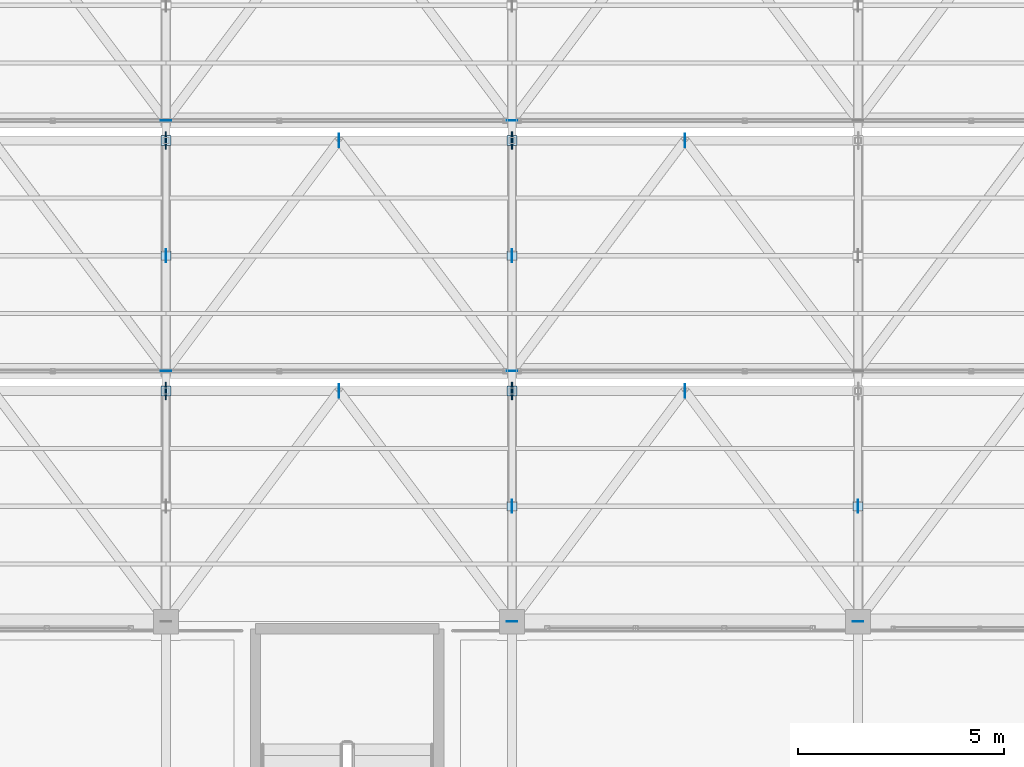
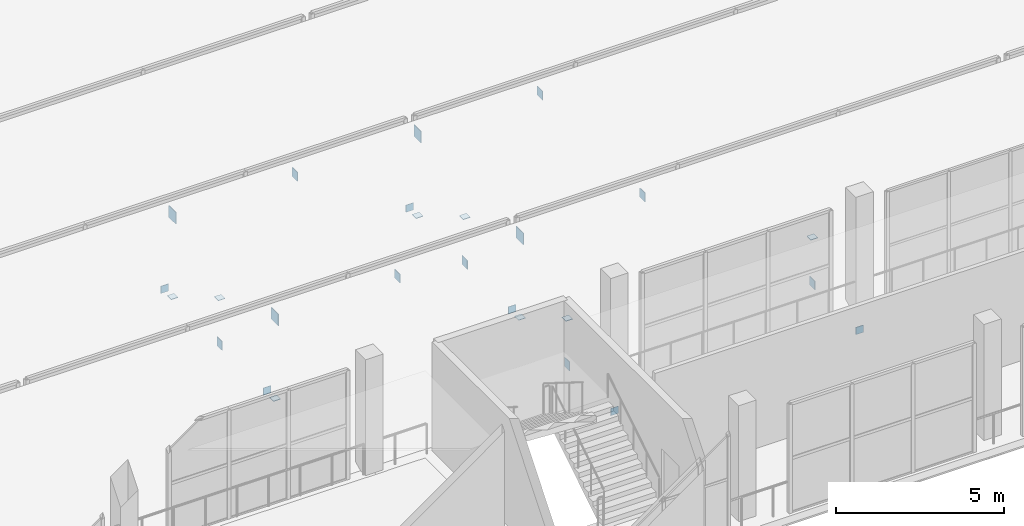
# One storey, part 181 of 217: 26 plates.
"""IFC4 building model written with IfcOpenShell, lengths in metres."""

from ifc_helpers import new_model, si_unit, direction, frame, origin, origin_2d, place, context, subcontext, project, spatial, rectangle, extrude, material, layer, layer_set, type_object, element, save


model = new_model("IFC4")

# Units and contexts
model_context = context("Model", 3, precision=1e-05, world=origin(), true_north=direction((0.0, 1.0)))
body_context = subcontext(model_context, "Body", "Model", "MODEL_VIEW")
ifc_project = project(units=[si_unit("LENGTHUNIT", "METRE"), si_unit("AREAUNIT", "SQUARE_METRE"), si_unit("VOLUMEUNIT", "CUBIC_METRE"), si_unit("PLANEANGLEUNIT", "RADIAN"), si_unit("MASSUNIT", "GRAM", prefix="KILO")], contexts=[model_context])

# Site, building, storey
site_placement = place(None, origin())
site = spatial("IfcSite", under=ifc_project, at=site_placement, CompositionType="ELEMENT")
building_placement = place(site_placement, origin())
building = spatial("IfcBuilding", under=site, at=building_placement, Name="Zuvorla Pavilion Media Centre", CompositionType="ELEMENT")
storey_placement = place(building_placement, frame((0.0, 0.0, 9.60009765625)))
storey = spatial("IfcBuildingStorey", under=building, at=storey_placement, Name="L02", CompositionType="ELEMENT", Elevation=9.60009765625)

# Plates
ifc_material = material(Name="Steel S355", Category="steel")
ifc_layer_1 = layer(ifc_material, 0.01611328125)
ifc_layer_set_1 = layer_set([ifc_layer_1], Name="Steel S355")
plate_type_1 = type_object("IfcPlateType", Name="PLT-CAP-16", PredefinedType="USERDEFINED", material=ifc_layer_set_1)
for number, where, z_axis, x_axis, name in (
    (1, (100.39990234375, 89.60009765625, -1.01025390625), (0.0, 0.0, 1.0), (1.0, 0.0, 0.0), "L02 cap plate CP16 10"),
    (2, (108.800048828125, 89.60009765625, -1.01025390625), (0.0, 0.0, 1.0), (1.0, 0.0, 0.0), "L02 cap plate CP16 12"),
    (3, (92.0, 95.679931640625, -1.01025390625), (0.0, 0.0, 1.0), (1.0, 0.0, 0.0), "L02 cap plate CP16 26"),
    (4, (100.39990234375, 95.679931640625, -1.01025390625), (0.0, 0.0, 1.0), (1.0, 0.0, 0.0), "L02 cap plate CP16 28"),
    (5, (92.0, 101.760009765625, -1.01025390625), (0.0, 0.0, 1.0), (1.0, 0.0, 0.0), "L02 cap plate CP16 44"),
    (6, (100.39990234375, 101.760009765625, -1.01025390625), (0.0, 0.0, 1.0), (1.0, 0.0, 0.0), "L02 cap plate CP16 46"),
):
    element("IfcPlate", number, at=place(storey_placement, frame(where, z_axis=z_axis, x_axis=x_axis)), inside=storey, type_object=plate_type_1, Name=name, ObjectType="CAP_PLATE", PredefinedType="USERDEFINED", context=body_context, shape_type="SweptSolid", body=[
        extrude(rectangle(XDim=0.260009765625, YDim=0.01611328125, at=origin_2d()), origin(), (0.0, 0.0, 1.0), 0.260009765625),
    ])
for number, where, z_axis, x_axis, name in (
    (7, (92.0, 95.199951171875, -0.88818359375), (0.0, 0.0, 1.0), (1.0, 0.0, 0.0), "L02 cap plate CP16 226"),
    (8, (100.39990234375, 95.199951171875, -0.88818359375), (0.0, 0.0, 1.0), (1.0, 0.0, 0.0), "L02 cap plate CP16 229"),
    (9, (100.39990234375, 92.39990234375, 0.771728515625), (0.0, 0.0, 1.0), (1.0, 0.0, 0.0), "L02 cap plate CP16 231"),
    (10, (108.800048828125, 92.39990234375, 0.771728515625), (0.0, 0.0, 1.0), (1.0, 0.0, 0.0), "L02 cap plate CP16 234"),
    (11, (92.0, 101.280029296875, -0.88818359375), (0.0, 0.0, 1.0), (1.0, 0.0, 0.0), "L02 cap plate CP16 261"),
    (12, (92.0, 98.47998046875, 0.771728515625), (0.0, 0.0, 1.0), (1.0, 0.0, 0.0), "L02 cap plate CP16 263"),
    (13, (100.39990234375, 101.280029296875, -0.88818359375), (0.0, 0.0, 1.0), (1.0, 0.0, 0.0), "L02 cap plate CP16 264"),
    (14, (100.39990234375, 98.47998046875, 0.771728515625), (0.0, 0.0, 1.0), (1.0, 0.0, 0.0), "L02 cap plate CP16 266"),
):
    element("IfcPlate", number, at=place(storey_placement, frame(where, z_axis=z_axis, x_axis=x_axis)), inside=storey, type_object=plate_type_1, Name=name, ObjectType="CAP_PLATE", PredefinedType="USERDEFINED", context=body_context, shape_type="SweptSolid", body=[
        extrude(rectangle(XDim=0.239990234375, YDim=0.239990234375, at=origin_2d()), origin(), (0.0, 0.0, 1.0), 0.01611328125),
    ])
ifc_layer_2 = layer(ifc_material, 0.02001953125)
ifc_layer_set_2 = layer_set([ifc_layer_2], Name="Steel S355")
plate_type_2 = type_object("IfcPlateType", Name="PLT-GUS-20", PredefinedType="USERDEFINED", material=ifc_layer_set_2)
for number, where, z_axis, x_axis, name in (
    (15, (100.39990234375, 92.39990234375, -1.0400390625), (0.0, 0.0, 1.0), (1.0, 0.0, 0.0), "L02 gusset plate GP20 230"),
    (16, (108.800048828125, 92.39990234375, -1.0400390625), (0.0, 0.0, 1.0), (1.0, 0.0, 0.0), "L02 gusset plate GP20 233"),
    (17, (96.199951171875, 95.199951171875, 1.919921875), (0.0, 0.0, 1.0), (1.0, 0.0, 0.0), "L02 gusset plate GP20 247"),
    (18, (104.60009765625, 95.199951171875, 1.919921875), (0.0, 0.0, 1.0), (1.0, 0.0, 0.0), "L02 gusset plate GP20 248"),
    (19, (92.0, 98.47998046875, -1.0400390625), (0.0, 0.0, 1.0), (1.0, 0.0, 0.0), "L02 gusset plate GP20 262"),
    (20, (100.39990234375, 98.47998046875, -1.0400390625), (0.0, 0.0, 1.0), (1.0, 0.0, 0.0), "L02 gusset plate GP20 265"),
    (21, (96.199951171875, 101.280029296875, 1.919921875), (0.0, 0.0, 1.0), (1.0, 0.0, 0.0), "L02 gusset plate GP20 282"),
    (22, (104.60009765625, 101.280029296875, 1.919921875), (0.0, 0.0, 1.0), (1.0, 0.0, 0.0), "L02 gusset plate GP20 283"),
):
    element("IfcPlate", number, at=place(storey_placement, frame(where, z_axis=z_axis, x_axis=x_axis)), inside=storey, type_object=plate_type_2, Name=name, ObjectType="GUSSET_PLATE", PredefinedType="USERDEFINED", context=body_context, shape_type="SweptSolid", body=[
        extrude(rectangle(XDim=0.02001953125, YDim=0.320068359375, at=origin_2d()), origin(), (0.0, 0.0, 1.0), 0.320068359375),
    ])
ifc_layer_3 = layer(ifc_material, 0.02490234375)
ifc_layer_set_3 = layer_set([ifc_layer_3], Name="Steel S355")
plate_type_3 = type_object("IfcPlateType", Name="PLT-GUS-25", PredefinedType="USERDEFINED", material=ifc_layer_set_3)
for number, where, z_axis, x_axis, name in (
    (23, (92.0, 95.199951171875, 1.87353515625), (0.0, 0.0, 1.0), (1.0, 0.0, 0.0), "L02 gusset plate GP25 7"),
    (24, (100.39990234375, 95.199951171875, 1.87353515625), (0.0, 0.0, 1.0), (1.0, 0.0, 0.0), "L02 gusset plate GP25 9"),
    (25, (92.0, 101.280029296875, 1.87353515625), (0.0, 0.0, 1.0), (1.0, 0.0, 0.0), "L02 gusset plate GP25 25"),
    (26, (100.39990234375, 101.280029296875, 1.87353515625), (0.0, 0.0, 1.0), (1.0, 0.0, 0.0), "L02 gusset plate GP25 27"),
):
    element("IfcPlate", number, at=place(storey_placement, frame(where, z_axis=z_axis, x_axis=x_axis)), inside=storey, type_object=plate_type_3, Name=name, ObjectType="GUSSET_PLATE", PredefinedType="USERDEFINED", context=body_context, shape_type="SweptSolid", body=[
        extrude(rectangle(XDim=0.02490234375, YDim=0.419921875, at=origin_2d()), origin(), (0.0, 0.0, 1.0), 0.419921875),
    ])

save(model, "model.ifc")
